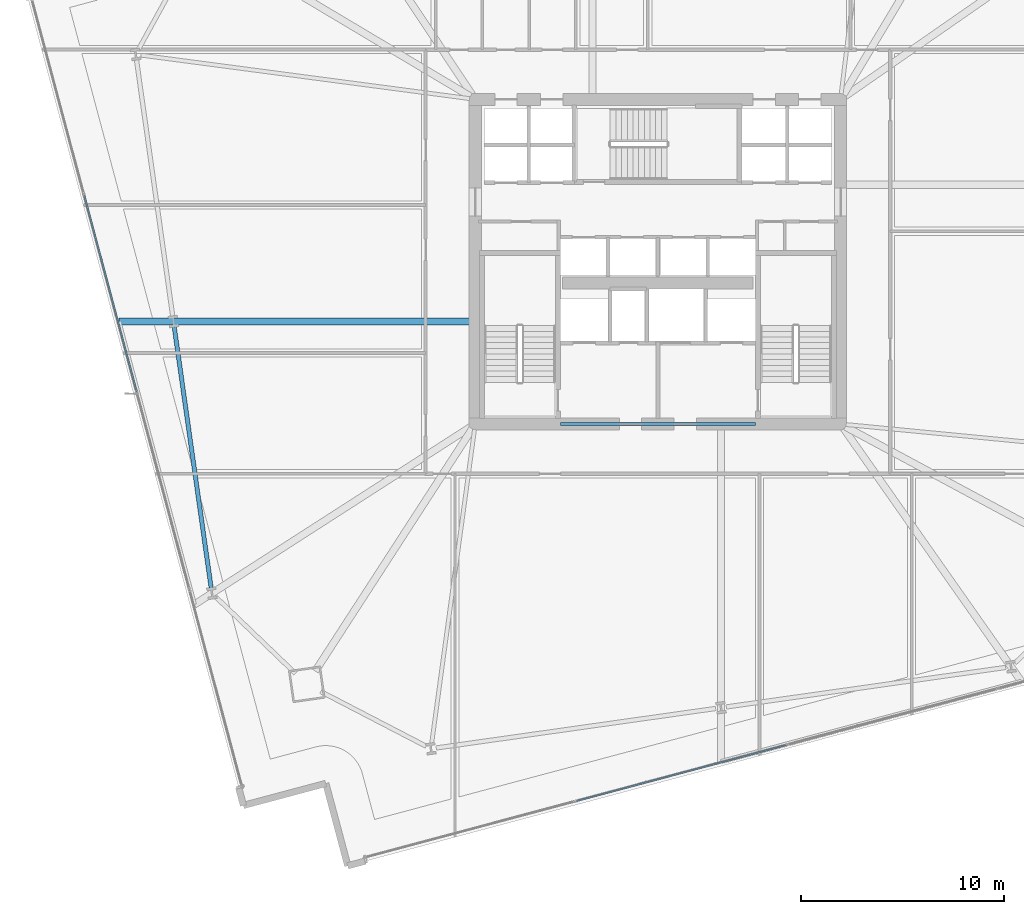
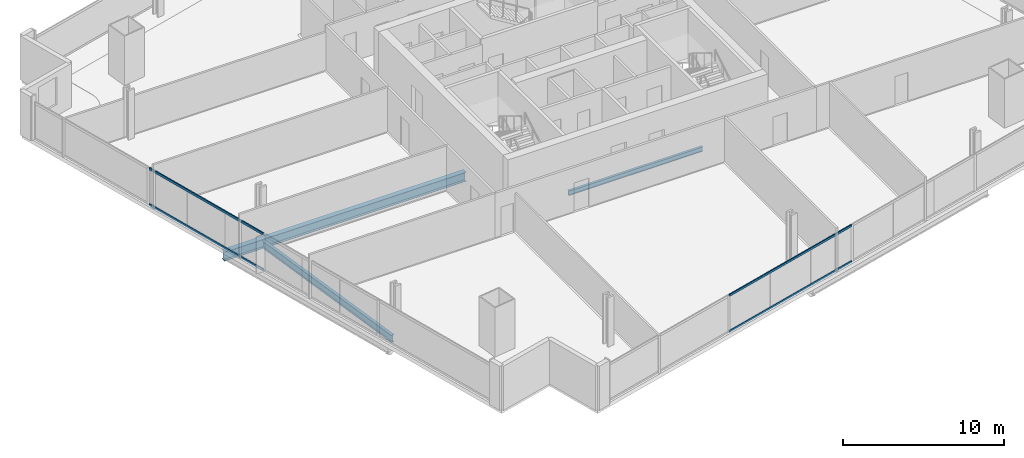
# One storey, part 6 of 33: 4 members, 3 beams, 2 elements without a shape of their own.
"""IFC4 building model written with IfcOpenShell, lengths in metres."""

import ifcopenshell
import ifcopenshell.guid

model = None  # the IFC model being written
_history = None  # IfcOwnerHistory: only IFC2X3 demands one
_inside = {}  # id of a spatial element -> (the spatial element, [elements in it])
_under = {}  # id of a project, library or spatial element -> (it, [spatial elements below it])
_declared = {}  # id of a project -> (the project, [libraries it declares])
_typed = {}  # id of a type object -> (the type object, [elements of that type])
_made_of = {}  # id of a material, layer set ... -> (it, [elements and type objects made of it])


def new_model(schema):
    """Start an empty IFC model of exactly this schema.

    Asked for "IFC4X3", IfcOpenShell would pick the latest addendum, in which some entities
    have other attributes; the version numbers below select the first issue.
    IFC2X3 requires an IfcOwnerHistory on every rooted entity: one is made here for all.
    """
    global model, _history
    if schema == "IFC4X3":
        model = ifcopenshell.file(schema_version=(4, 3, 0, 0))
    else:
        model = ifcopenshell.file(schema=schema)
    _inside.clear()
    _under.clear()
    _declared.clear()
    _typed.clear()
    _made_of.clear()
    _history = None
    if model.schema == "IFC2X3":
        org = make("IfcOrganization", Name="unknown")
        user = make(
            "IfcPersonAndOrganization",
            ThePerson=make("IfcPerson", FamilyName="unknown"),
            TheOrganization=org,
        )
        app = make(
            "IfcApplication",
            ApplicationDeveloper=org,
            Version="unknown",
            ApplicationFullName="unknown",
            ApplicationIdentifier="unknown",
        )
        _history = make(
            "IfcOwnerHistory",
            OwningUser=user,
            OwningApplication=app,
            ChangeAction="ADDED",
            CreationDate=0,
        )
    return model


def make(cls, **values):
    """One entity of the class cls with the attributes given. An attribute that is None is left unset."""
    return model.create_entity(
        cls, **{name: value for name, value in values.items() if value is not None}
    )


def rooted(cls, **values):
    """An entity with a GlobalId (a new one), such as an element, a storey or a relation."""
    return make(cls, GlobalId=ifcopenshell.guid.new(), OwnerHistory=_history, **values)


def si_unit(unit_type, name, prefix=None):
    """IfcSIUnit, for example si_unit("LENGTHUNIT", "METRE", prefix="MILLI")."""
    return make("IfcSIUnit", UnitType=unit_type, Prefix=prefix, Name=name)


def assignment(units):
    """IfcUnitAssignment: the units of a project."""
    return None if units is None else make("IfcUnitAssignment", Units=units)


def point(xyz):
    """IfcCartesianPoint."""
    return None if xyz is None else make("IfcCartesianPoint", Coordinates=xyz)


def direction(xyz):
    """IfcDirection."""
    return None if xyz is None else make("IfcDirection", DirectionRatios=xyz)


def frame(location, z_axis=None, x_axis=None):
    """IfcAxis2Placement3D, a coordinate frame: its origin and axes. An axis left out is left unset."""
    return make(
        "IfcAxis2Placement3D",
        Location=point(location),
        Axis=direction(z_axis),
        RefDirection=direction(x_axis),
    )


def frame_2d(location, x_axis=None):
    """IfcAxis2Placement2D, a coordinate frame in the plane: its origin and x axis."""
    return make(
        "IfcAxis2Placement2D", Location=point(location), RefDirection=direction(x_axis)
    )


def origin():
    """The frame at (0, 0, 0) with its axes left unset."""
    return frame((0.0, 0.0, 0.0))


def origin_2d():
    """The frame at (0, 0) in the plane with its x axis left unset."""
    return frame_2d((0.0, 0.0))


def place(relative_to, where):
    """IfcLocalPlacement: puts the frame where relative to a parent placement (None: the world)."""
    return make(
        "IfcLocalPlacement", PlacementRelTo=relative_to, RelativePlacement=where
    )


def context(
    kind, dimensions, precision=None, world=None, true_north=None, identifier=None
):
    """IfcGeometricRepresentationContext, for example the 3D "Model" context."""
    return make(
        "IfcGeometricRepresentationContext",
        ContextIdentifier=identifier,
        ContextType=kind,
        CoordinateSpaceDimension=dimensions,
        Precision=precision,
        WorldCoordinateSystem=world,
        TrueNorth=true_north,
    )


def subcontext(parent, identifier, kind, view, scale=None):
    """IfcGeometricRepresentationSubContext, for example "Body" below "Model"."""
    return make(
        "IfcGeometricRepresentationSubContext",
        ContextIdentifier=identifier,
        ContextType=kind,
        ParentContext=parent,
        TargetScale=scale,
        TargetView=view,
    )


def project(units=None, contexts=None):
    """IfcProject with its units and contexts."""
    return rooted(
        "IfcProject",
        Name="project",
        RepresentationContexts=contexts,
        UnitsInContext=assignment(units),
    )


def spatial(cls, under=None, at=None, **own):
    """A site, building, storey or space (cls), placed at a placement, below another one or the project."""
    s = rooted(cls, ObjectPlacement=at, **own)
    if under is not None:
        _under.setdefault(under.id(), (under, []))[1].append(s)
    return s


def profile(cls, at=None, kind="AREA", **sizes):
    """A parametric profile (cls). Its sizes go by their IFC names, for example OverallWidth=200.0."""
    return make(cls, ProfileType=kind, Position=at, **sizes)


def hollow_rectangle(**sizes):
    """IfcRectangleHollowProfileDef."""
    return profile("IfcRectangleHollowProfileDef", **sizes)


def i_section(**sizes):
    """IfcIShapeProfileDef."""
    return profile("IfcIShapeProfileDef", **sizes)


def extrude(swept, where, along, depth):
    """IfcExtrudedAreaSolid: the profile swept, set in the frame where, extruded along a direction by depth."""
    return make(
        "IfcExtrudedAreaSolid",
        SweptArea=swept,
        Position=where,
        ExtrudedDirection=direction(along),
        Depth=depth,
    )


def shape(context_of_items, identifier, shape_type, items):
    """IfcShapeRepresentation: the items that make up one representation, for example the "Body"."""
    return make(
        "IfcShapeRepresentation",
        ContextOfItems=context_of_items,
        RepresentationIdentifier=identifier,
        RepresentationType=shape_type,
        Items=items,
    )


def material(Name=None, Category=None):
    """IfcMaterial."""
    return make("IfcMaterial", Name=Name, Category=Category)


def material_profile(
    of_material, cross_section, Name=None, Category=None, Priority=None
):
    """IfcMaterialProfile: a cross section and its material."""
    return make(
        "IfcMaterialProfile",
        Name=Name,
        Material=of_material,
        Profile=cross_section,
        Priority=Priority,
        Category=Category,
    )


def profile_set(profiles, Name=None, composite=None):
    """IfcMaterialProfileSet."""
    return make(
        "IfcMaterialProfileSet",
        Name=Name,
        MaterialProfiles=profiles,
        CompositeProfile=composite,
    )


def made_of(thing, what):
    """Note that an element or type object is made of a material, layer set ...; save() writes the relation."""
    if what is not None:
        _made_of.setdefault(what.id(), (what, []))[1].append(thing)
    return thing


def type_object(cls, material=None, **own):
    """A type object (cls), such as IfcWallType, which elements share."""
    return made_of(rooted(cls, **own), material)


def element(
    cls,
    number,
    at=None,
    inside=None,
    cuts=None,
    type_object=None,
    material=None,
    context=None,
    identifier="Body",
    shape_type=None,
    held_by="IfcProductDefinitionShape",
    body=None,
    shapes=None,
    **own,
):
    """One element of the class cls, such as IfcWall. Its Tag is "e" and its number.

    at: its placement. inside: the storey or other place that contains it. cuts: it is an
    opening in that element (IfcRelVoidsElement). A single representation is given by context,
    identifier, shape_type and body (its items); several are given by shapes. held_by: the class
    of the entity that holds the representations. save() writes the other relations.
    """
    e = rooted(cls, Tag="e%d" % number, ObjectPlacement=at, **own)
    if body is not None:
        shapes = [shape(context, identifier, shape_type, body)]
    if shapes is not None:
        e.Representation = make(held_by, Representations=shapes)
    if inside is not None:
        _inside.setdefault(inside.id(), (inside, []))[1].append(e)
    if cuts is not None:
        rooted(
            "IfcRelVoidsElement", RelatingBuildingElement=cuts, RelatedOpeningElement=e
        )
    if type_object is not None:
        _typed.setdefault(type_object.id(), (type_object, []))[1].append(e)
    return made_of(e, material)


def aggregate(whole, parts):
    """IfcRelAggregates: a whole, such as a stair, and the parts it consists of."""
    return rooted("IfcRelAggregates", RelatingObject=whole, RelatedObjects=parts)


def save(model, path):
    """Write the relations noted so far, then the file.

    IfcRelAggregates (storeys below a building ...), IfcRelContainedInSpatialStructure (elements
    in a storey), IfcRelDefinesByType, IfcRelAssociatesMaterial and IfcRelDeclares: one each for
    every whole, place, type object, material and project.
    """
    for whole, parts in _under.values():
        aggregate(whole, parts)
    for where, things in _inside.values():
        rooted(
            "IfcRelContainedInSpatialStructure",
            RelatedElements=things,
            RelatingStructure=where,
        )
    for kind, things in _typed.values():
        rooted("IfcRelDefinesByType", RelatedObjects=things, RelatingType=kind)
    for what, things in _made_of.values():
        rooted("IfcRelAssociatesMaterial", RelatedObjects=things, RelatingMaterial=what)
    for by, libraries in _declared.values():
        rooted("IfcRelDeclares", RelatingContext=by, RelatedDefinitions=libraries)
    model.write(path)


model = new_model("IFC4")

# Units and contexts
model_context = context("Model", 3, precision=1e-05, world=origin(), true_north=direction((0.0, 1.0)))
body_context = subcontext(model_context, "Body", "Model", "MODEL_VIEW")
ifc_project = project(units=[si_unit("LENGTHUNIT", "METRE"), si_unit("AREAUNIT", "SQUARE_METRE"), si_unit("VOLUMEUNIT", "CUBIC_METRE"), si_unit("PLANEANGLEUNIT", "RADIAN"), si_unit("MASSUNIT", "GRAM", prefix="KILO")], contexts=[model_context])

# Site, building, storey
site_placement = place(None, origin())
site = spatial("IfcSite", under=ifc_project, at=site_placement, CompositionType="ELEMENT")
building_placement = place(site_placement, origin())
building = spatial("IfcBuilding", under=site, at=building_placement, Name="Haldenkirk Collegiate Tower", CompositionType="ELEMENT")
storey_placement = place(building_placement, frame((0.0, 0.0, 77.699951171875)))
storey = spatial("IfcBuildingStorey", under=building, at=storey_placement, Name="L18", CompositionType="ELEMENT", Elevation=77.699951171875)

# Beams
ifc_material_1 = material(Name="Steel ASTM A992 Grade 50", Category="steel")
ifc_material_profile_1 = material_profile(ifc_material_1, i_section(OverallWidth=0.35498046875, OverallDepth=0.696044921875, WebThickness=0.015380859375, FlangeThickness=0.02490234375, at=origin_2d()), Name="W27X146")
ifc_profile_set_1 = profile_set([ifc_material_profile_1], Name="Steel ASTM A992 Grade 50")
beam_type_1 = type_object("IfcBeamType", Name="BM-GIRDER-W27X146", PredefinedType="BEAM", material=ifc_profile_set_1)
beam_1_placement = place(storey_placement, frame((9.430908203125, 23.052978515625, -0.657958984375), z_axis=(1.0, 0.0, 0.0), x_axis=(0.0, 1.0, 0.0)))
element("IfcBeam", 1, at=beam_1_placement, inside=storey, type_object=beam_type_1, Name="L18 primary floor girder 15", PredefinedType="BEAM", context=body_context, shape_type="SweptSolid", body=[
    extrude(i_section(OverallWidth=0.35498046875, OverallDepth=0.696044921875, WebThickness=0.015380859375, FlangeThickness=0.02490234375, at=origin_2d()), origin(), (0.0, 0.0, 1.0), 17.2890625),
])
ifc_material_profile_2 = material_profile(ifc_material_1, i_section(OverallWidth=0.1708984375, OverallDepth=0.35595703125, WebThickness=0.007080078125, FlangeThickness=0.01171875, at=origin_2d()), Name="W14X34")
ifc_profile_set_2 = profile_set([ifc_material_profile_2], Name="Steel ASTM A992 Grade 50")
beam_type_2 = type_object("IfcBeamType", Name="BM-LINTEL-W14X34", PredefinedType="LINTEL", material=ifc_profile_set_2)
beam_2_placement = place(storey_placement, frame((31.199951171875, 18.0, -0.488037109375), z_axis=(1.0, 0.0, 0.0), x_axis=(0.0, 1.0, 0.0)))
element("IfcBeam", 2, at=beam_2_placement, inside=storey, type_object=beam_type_2, Name="L18 south core coupling lintel", PredefinedType="LINTEL", context=body_context, shape_type="SweptSolid", body=[
    extrude(i_section(OverallWidth=0.1708984375, OverallDepth=0.35595703125, WebThickness=0.007080078125, FlangeThickness=0.01171875, at=origin_2d()), origin(), (0.0, 0.0, 1.0), 9.60009765625),
])
ifc_material_profile_3 = material_profile(ifc_material_1, i_section(OverallWidth=0.2119140625, OverallDepth=0.5439453125, WebThickness=0.01318359375, FlangeThickness=0.021240234375, at=origin_2d()), Name="W21X83")
ifc_profile_set_3 = profile_set([ifc_material_profile_3], Name="Steel ASTM A992 Grade 50")
beam_type_3 = type_object("IfcBeamType", Name="BM-SPANDREL-W21X83", PredefinedType="SPANDREL", material=ifc_profile_set_3)
beam_3_placement = place(storey_placement, frame((12.16455078125, 22.791015625, -0.58203125), z_axis=(0.140043508171, -0.990145350855, 0.0), x_axis=(0.990145350855, 0.140043508171, 0.0)))
element("IfcBeam", 3, at=beam_3_placement, inside=storey, type_object=beam_type_3, Name="L18 perimeter spandrel beam 15", PredefinedType="SPANDREL", context=body_context, shape_type="SweptSolid", body=[
    extrude(i_section(OverallWidth=0.2119140625, OverallDepth=0.5439453125, WebThickness=0.01318359375, FlangeThickness=0.021240234375, at=origin_2d()), origin(), (0.0, 0.0, 1.0), 13.0),
])

# Curtain wall, members
ifc_material_2 = material(Name="Anodised architectural bronze aluminium", Category="aluminium")
curtain_wall_type_1 = type_object("IfcCurtainWallType", Name="CW-SYS2-CONCAVE", PredefinedType="USERDEFINED", material=ifc_material_2)
curtain_wall_1_placement = place(storey_placement, origin())
curtain_wall_1 = element("IfcCurtainWall", 4, at=curtain_wall_1_placement, inside=storey, type_object=curtain_wall_type_1, Name="L18 South concave recessed bronze-anodised curtain wall", ObjectType="UNITISED CURTAIN WALL", PredefinedType="USERDEFINED")
ifc_material_profile_4 = material_profile(ifc_material_2, hollow_rectangle(XDim=0.074951171875, YDim=0.159912109375, WallThickness=0.0048828125, at=origin_2d()), Name="CW-TRN-02")
ifc_profile_set_4 = profile_set([ifc_material_profile_4], Name="Anodised architectural bronze aluminium")
member_type_1 = type_object("IfcMemberType", Name="CW-TRN-02", PredefinedType="USERDEFINED", material=ifc_profile_set_4)
member_1_placement = place(storey_placement, frame((42.32177734375, 2.179443359375, 0.03759765625), z_axis=(-0.966153849625, -0.257966546001, 0.0), x_axis=(0.257966546001, -0.966153849625, 0.0)))
member_1 = element("IfcMember", 5, at=member_1_placement, type_object=member_type_1, Name="CW-02 transom 3.1", ObjectType="TRANSOM", PredefinedType="USERDEFINED", context=body_context, shape_type="SweptSolid", body=[
    extrude(hollow_rectangle(XDim=0.074951171875, YDim=0.159912109375, WallThickness=0.0048828125, at=origin_2d()), origin(), (0.0, 0.0, 1.0), 10.699951171875),
])
member_2_placement = place(storey_placement, frame((42.32177734375, 2.179443359375, 2.753662109375), z_axis=(-0.966153849625, -0.257966546001, 0.0), x_axis=(0.257966546001, -0.966153849625, 0.0)))
member_2 = element("IfcMember", 6, at=member_2_placement, type_object=member_type_1, Name="CW-02 transom 3.2", ObjectType="TRANSOM", PredefinedType="USERDEFINED", context=body_context, shape_type="SweptSolid", body=[
    extrude(hollow_rectangle(XDim=0.074951171875, YDim=0.159912109375, WallThickness=0.0048828125, at=origin_2d()), origin(), (0.0, 0.0, 1.0), 10.699951171875),
])
aggregate(curtain_wall_1, [member_1, member_2])

curtain_wall_type_2 = type_object("IfcCurtainWallType", Name="CW-SYS1-CONVEX-LOW", PredefinedType="USERDEFINED", material=ifc_material_2)
curtain_wall_2_placement = place(storey_placement, origin())
curtain_wall_2 = element("IfcCurtainWall", 7, at=curtain_wall_2_placement, inside=storey, type_object=curtain_wall_type_2, Name="L18 Lower tower convex bronze-framed unitised curtain wall", ObjectType="UNITISED CURTAIN WALL", PredefinedType="USERDEFINED")
ifc_material_profile_5 = material_profile(ifc_material_2, hollow_rectangle(XDim=0.080078125, YDim=0.179931640625, WallThickness=0.0048828125, at=origin_2d()), Name="CW-TRN-1A")
ifc_profile_set_5 = profile_set([ifc_material_profile_5], Name="Anodised architectural bronze aluminium")
member_type_2 = type_object("IfcMemberType", Name="CW-TRN-1A", PredefinedType="USERDEFINED", material=ifc_profile_set_5)
member_3_placement = place(storey_placement, frame((10.309326171875, 19.608642578125, 0.0400390625), z_axis=(-0.257980579619, 0.966150102489, 0.0), x_axis=(-0.966150102489, -0.257980579619, 0.0)))
member_3 = element("IfcMember", 8, at=member_3_placement, type_object=member_type_2, Name="CW-1A transom 3.1", ObjectType="TRANSOM", PredefinedType="USERDEFINED", context=body_context, shape_type="SweptSolid", body=[
    extrude(hollow_rectangle(XDim=0.080078125, YDim=0.179931640625, WallThickness=0.0048828125, at=origin_2d()), origin(), (0.0, 0.0, 1.0), 9.98876953125),
])
member_4_placement = place(storey_placement, frame((10.309326171875, 19.608642578125, 2.7509765625), z_axis=(-0.257980579619, 0.966150102489, 0.0), x_axis=(-0.966150102489, -0.257980579619, 0.0)))
member_4 = element("IfcMember", 9, at=member_4_placement, type_object=member_type_2, Name="CW-1A transom 3.2", ObjectType="TRANSOM", PredefinedType="USERDEFINED", context=body_context, shape_type="SweptSolid", body=[
    extrude(hollow_rectangle(XDim=0.080078125, YDim=0.179931640625, WallThickness=0.0048828125, at=origin_2d()), origin(), (0.0, 0.0, 1.0), 9.98876953125),
])
aggregate(curtain_wall_2, [member_3, member_4])

save(model, "model.ifc")
